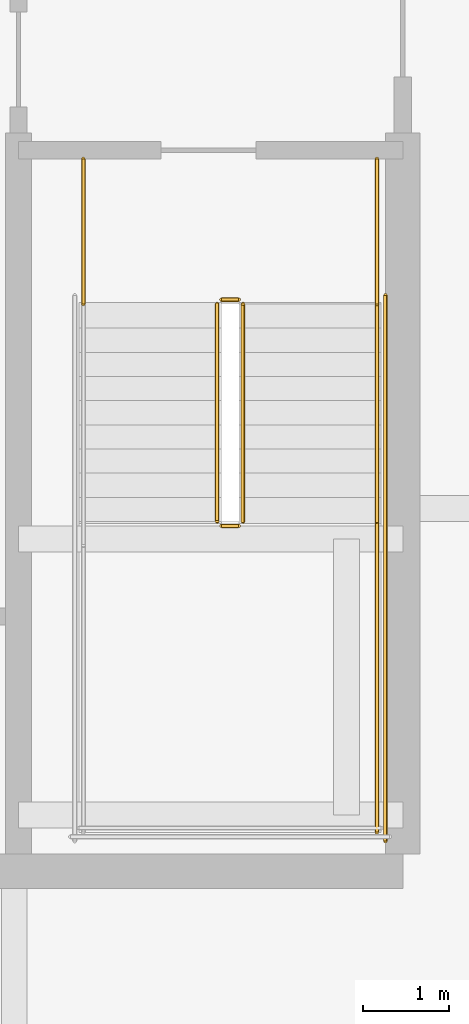
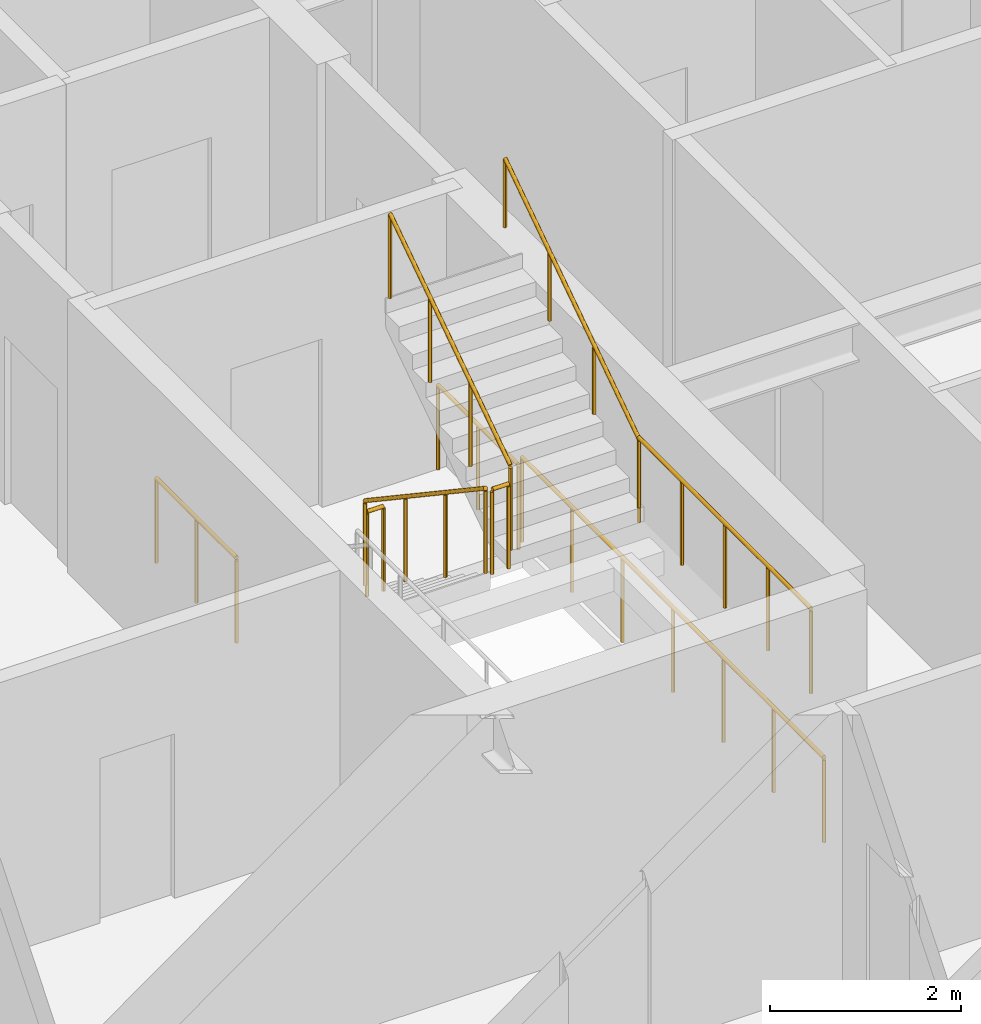
# One storey, part 33 of 34: 9 railings.
"""IFC4 building model written with IfcOpenShell, lengths in metres."""

from ifc_helpers import new_model, si_unit, direction, frame, origin, origin_2d, place, context, subcontext, project, spatial, circle, extrude, material, type_object, element, save


model = new_model("IFC4")

# Units and contexts
model_context = context("Model", 3, precision=1e-05, world=origin(), true_north=direction((0.0, 1.0)))
body_context = subcontext(model_context, "Body", "Model", "MODEL_VIEW")
ifc_project = project(units=[si_unit("LENGTHUNIT", "METRE"), si_unit("AREAUNIT", "SQUARE_METRE"), si_unit("VOLUMEUNIT", "CUBIC_METRE"), si_unit("PLANEANGLEUNIT", "RADIAN"), si_unit("MASSUNIT", "GRAM", prefix="KILO")], contexts=[model_context])

# Site, building, storey
site_placement = place(None, origin())
site = spatial("IfcSite", under=ifc_project, at=site_placement, CompositionType="ELEMENT")
building_placement = place(site_placement, origin())
building = spatial("IfcBuilding", under=site, at=building_placement, Name="Serunith Strait Residences", CompositionType="ELEMENT")
storey_placement = place(building_placement, frame((0.0, 0.0, 187.64990234375)))
storey = spatial("IfcBuildingStorey", under=building, at=storey_placement, Name="L47", CompositionType="ELEMENT", Elevation=187.64990234375)

# Railings
ifc_material = material(Name="Brushed stainless steel 316L", Category="steel")
railing_type_1 = type_object("IfcRailingType", Name="RLG-STAIR-GUARD", PredefinedType="BALUSTRADE", material=ifc_material)
railing_1_placement = place(storey_placement, frame((39.25, 23.3701171875, 0.1875)))
element("IfcRailing", 1, at=railing_1_placement, inside=storey, type_object=railing_type_1, Name="L47 ST-2 stair guard 1", PredefinedType="BALUSTRADE", context=body_context, shape_type="SweptSolid", body=[
    extrude(circle(Radius=0.02392578125, at=origin_2d()), frame((0.0, -0.001708984375, 1.0771484375), z_axis=(0.0, -0.830909170722, 0.55640807867), x_axis=(1.0, 0.0, 0.0)), (0.0, 0.0, 1.0), 3.02880859375),
    extrude(circle(Radius=0.02099609375, at=origin_2d()), origin(), (0.0, 0.0, 1.0), 1.050048828125),
    extrude(circle(Radius=0.02099609375, at=origin_2d()), frame((0.0, -0.840087890625, 0.5625)), (0.0, 0.0, 1.0), 1.050048828125),
    extrude(circle(Radius=0.02099609375, at=origin_2d()), frame((0.0, -1.679931640625, 1.125)), (0.0, 0.0, 1.0), 1.050048828125),
    extrude(circle(Radius=0.02099609375, at=origin_2d()), frame((0.0, -2.52001953125, 1.6875)), (0.0, 0.0, 1.0), 1.050048828125),
])
railing_2_placement = place(storey_placement, frame((39.300048828125, 20.800048828125, 1.875)))
element("IfcRailing", 2, at=railing_2_placement, inside=storey, type_object=railing_type_1, Name="L47 ST-2 stair guard 2", PredefinedType="BALUSTRADE", context=body_context, shape_type="SweptSolid", body=[
    extrude(circle(Radius=0.02392578125, at=origin_2d()), frame((0.001953125, 0.0, 1.076171875), z_axis=(1.0, 0.0, 0.0), x_axis=(0.0, 1.0, 0.0)), (0.0, 0.0, 1.0), 0.196044921875),
    extrude(circle(Radius=0.02099609375, at=origin_2d()), origin(), (0.0, 0.0, 1.0), 1.050048828125),
    extrude(circle(Radius=0.02099609375, at=origin_2d()), frame((0.199951171875, 0.0, 0.0)), (0.0, 0.0, 1.0), 1.050048828125),
])
railing_3_placement = place(storey_placement, frame((41.10009765625, 20.85009765625, 1.875)))
element("IfcRailing", 3, at=railing_3_placement, inside=storey, type_object=railing_type_1, Name="L47 ST-2 stair guard 4", PredefinedType="BALUSTRADE", context=body_context, shape_type="SweptSolid", body=[
    extrude(circle(Radius=0.02392578125, at=origin_2d()), frame((0.0, -0.001953125, 1.076171875), z_axis=(0.0, -1.0, 0.0), x_axis=(1.0, 0.0, 0.0)), (0.0, 0.0, 1.0), 3.59619140625),
    extrude(circle(Radius=0.02099609375, at=origin_2d()), origin(), (0.0, 0.0, 1.0), 1.050048828125),
    extrude(circle(Radius=0.02099609375, at=origin_2d()), frame((0.0, -0.89990234375, 0.0)), (0.0, 0.0, 1.0), 1.050048828125),
    extrude(circle(Radius=0.02099609375, at=origin_2d()), frame((0.0, -1.800048828125, 0.0)), (0.0, 0.0, 1.0), 1.050048828125),
    extrude(circle(Radius=0.02099609375, at=origin_2d()), frame((0.0, -2.7001953125, 0.0)), (0.0, 0.0, 1.0), 1.050048828125),
    extrude(circle(Radius=0.02099609375, at=origin_2d()), frame((0.0, -3.60009765625, 0.0)), (0.0, 0.0, 1.0), 1.050048828125),
])
railing_4_placement = place(storey_placement, frame((39.550048828125, 20.85009765625, 2.0625)))
element("IfcRailing", 4, at=railing_4_placement, inside=storey, type_object=railing_type_1, Name="L47 ST-2 stair guard 6", PredefinedType="BALUSTRADE", context=body_context, shape_type="SweptSolid", body=[
    extrude(circle(Radius=0.02392578125, at=origin_2d()), frame((0.0, 0.001708984375, 1.0771484375), z_axis=(0.0, 0.830909170722, 0.55640807867), x_axis=(-1.0, 0.0, 0.0)), (0.0, 0.0, 1.0), 3.02880859375),
    extrude(circle(Radius=0.02099609375, at=origin_2d()), origin(), (0.0, 0.0, 1.0), 1.050048828125),
    extrude(circle(Radius=0.02099609375, at=origin_2d()), frame((0.0, 0.840087890625, 0.5625)), (0.0, 0.0, 1.0), 1.050048828125),
    extrude(circle(Radius=0.02099609375, at=origin_2d()), frame((0.0, 1.679931640625, 1.125)), (0.0, 0.0, 1.0), 1.050048828125),
    extrude(circle(Radius=0.02099609375, at=origin_2d()), frame((0.0, 2.52001953125, 1.6875)), (0.0, 0.0, 1.0), 1.050048828125),
])
railing_5_placement = place(storey_placement, frame((39.300048828125, 23.419921875, 0.0)))
element("IfcRailing", 5, at=railing_5_placement, inside=storey, type_object=railing_type_1, Name="L47 ST-2 stair guard 7", PredefinedType="BALUSTRADE", context=body_context, shape_type="SweptSolid", body=[
    extrude(circle(Radius=0.02392578125, at=origin_2d()), frame((0.001953125, 0.0, 1.076171875), z_axis=(1.0, 0.0, 0.0), x_axis=(0.0, 1.0, 0.0)), (0.0, 0.0, 1.0), 0.196044921875),
    extrude(circle(Radius=0.02099609375, at=origin_2d()), origin(), (0.0, 0.0, 1.0), 1.050048828125),
    extrude(circle(Radius=0.02099609375, at=origin_2d()), frame((0.199951171875, 0.0, 0.0)), (0.0, 0.0, 1.0), 1.050048828125),
])
for number, where, name in (
    (6, (37.699951171875, 25.050048828125, 0.0), "L47 ST-2 stair guard 8"),
    (7, (41.10009765625, 25.050048828125, 0.0), "L47 ST-2 stair guard 9"),
):
    element("IfcRailing", number, at=place(storey_placement, frame(where)), inside=storey, type_object=railing_type_1, Name=name, PredefinedType="BALUSTRADE", context=body_context, shape_type="SweptSolid", body=[
        extrude(circle(Radius=0.02392578125, at=origin_2d()), frame((0.0, -0.001953125, 1.076171875), z_axis=(0.0, -1.0, 0.0), x_axis=(1.0, 0.0, 0.0)), (0.0, 0.0, 1.0), 1.676025390625),
        extrude(circle(Radius=0.02099609375, at=origin_2d()), origin(), (0.0, 0.0, 1.0), 1.050048828125),
        extrude(circle(Radius=0.02099609375, at=origin_2d()), frame((0.0, -0.83984375, 0.0)), (0.0, 0.0, 1.0), 1.050048828125),
        extrude(circle(Radius=0.02099609375, at=origin_2d()), frame((0.0, -1.679931640625, 0.0)), (0.0, 0.0, 1.0), 1.050048828125),
    ])
railing_6_placement = place(storey_placement, frame((41.199951171875, 23.469970703125, 0.0)))
element("IfcRailing", 8, at=railing_6_placement, inside=storey, type_object=railing_type_1, Name="L47 ST-2 stair guard 11", PredefinedType="BALUSTRADE", context=body_context, shape_type="SweptSolid", body=[
    extrude(circle(Radius=0.02392578125, at=origin_2d()), frame((0.0, -0.001953125, 1.076171875), z_axis=(0.0, -1.0, 0.0), x_axis=(1.0, 0.0, 0.0)), (0.0, 0.0, 1.0), 6.316162109375),
    extrude(circle(Radius=0.02099609375, at=origin_2d()), origin(), (0.0, 0.0, 1.0), 1.050048828125),
    extrude(circle(Radius=0.02099609375, at=origin_2d()), frame((0.0, -1.05322265625, 0.0)), (0.0, 0.0, 1.0), 1.050048828125),
    extrude(circle(Radius=0.02099609375, at=origin_2d()), frame((0.0, -2.106689453125, 0.0)), (0.0, 0.0, 1.0), 1.050048828125),
    extrude(circle(Radius=0.02099609375, at=origin_2d()), frame((0.0, -3.16015625, 0.0)), (0.0, 0.0, 1.0), 1.050048828125),
    extrude(circle(Radius=0.02099609375, at=origin_2d()), frame((0.0, -4.21337890625, 0.0)), (0.0, 0.0, 1.0), 1.050048828125),
    extrude(circle(Radius=0.02099609375, at=origin_2d()), frame((0.0, -5.2666015625, 0.0)), (0.0, 0.0, 1.0), 1.050048828125),
    extrude(circle(Radius=0.02099609375, at=origin_2d()), frame((0.0, -6.320068359375, 0.0)), (0.0, 0.0, 1.0), 1.050048828125),
])
railing_type_2 = type_object("IfcRailingType", Name="RLG-STAIR-HR", PredefinedType="HANDRAIL", material=ifc_material)
railing_7_placement = place(storey_placement, frame((41.10009765625, 20.85009765625, 2.0625)))
element("IfcRailing", 9, at=railing_7_placement, inside=storey, type_object=railing_type_2, Name="L47 ST-2 stair handrail 2", PredefinedType="HANDRAIL", context=body_context, shape_type="SweptSolid", body=[
    extrude(circle(Radius=0.02392578125, at=origin_2d()), frame((0.0, 0.001708984375, 0.876953125), z_axis=(0.0, 0.830185712471, 0.557486935101), x_axis=(-1.0, 0.0, 0.0)), (0.0, 0.0, 1.0), 3.368408203125),
    extrude(circle(Radius=0.02099609375, at=origin_2d()), origin(), (0.0, 0.0, 1.0), 0.849853515625),
    extrude(circle(Radius=0.02099609375, at=origin_2d()), frame((0.0, 0.933349609375, 0.626708984375)), (0.0, 0.0, 1.0), 0.849853515625),
    extrude(circle(Radius=0.02099609375, at=origin_2d()), frame((0.0, 1.866455078125, 1.25341796875)), (0.0, 0.0, 1.0), 0.849853515625),
    extrude(circle(Radius=0.02099609375, at=origin_2d()), frame((0.0, 2.7998046875, 1.880126953125)), (0.0, 0.0, 1.0), 0.849853515625),
])

save(model, "model.ifc")
